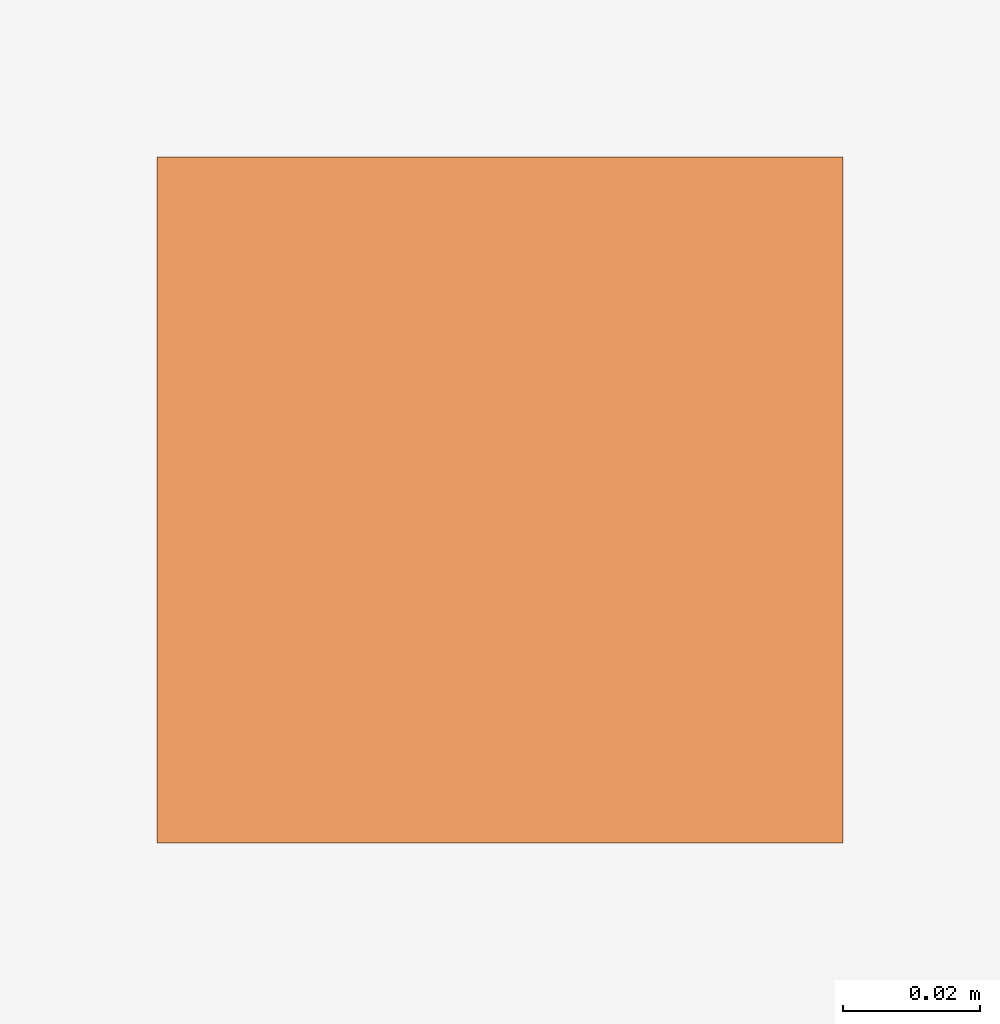
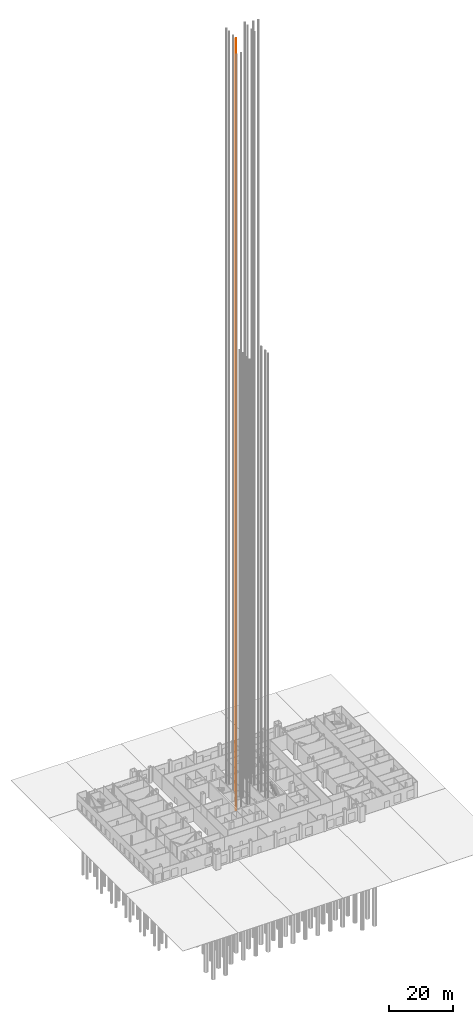
# One storey, part 26 of 36: 1 proxy.
"""IFC4 building model written with IfcOpenShell, lengths in metres."""

from ifc_helpers import new_model, si_unit, direction, frame, origin, origin_2d, place, context, subcontext, project, spatial, rectangle, extrude, material, type_object, element, save


model = new_model("IFC4")

# Units and contexts
model_context = context("Model", 3, precision=1e-05, world=origin(), true_north=direction((0.0, 1.0)))
body_context = subcontext(model_context, "Body", "Model", "MODEL_VIEW")
ifc_project = project(units=[si_unit("LENGTHUNIT", "METRE"), si_unit("AREAUNIT", "SQUARE_METRE"), si_unit("VOLUMEUNIT", "CUBIC_METRE"), si_unit("PLANEANGLEUNIT", "RADIAN"), si_unit("MASSUNIT", "GRAM", prefix="KILO")], contexts=[model_context])

# Site, building, storey
site_placement = place(None, origin())
site = spatial("IfcSite", under=ifc_project, at=site_placement, CompositionType="ELEMENT")
building_placement = place(site_placement, origin())
building = spatial("IfcBuilding", under=site, at=building_placement, Name="Malebo Sky Hospital", CompositionType="ELEMENT")
storey_placement = place(building_placement, origin())
storey = spatial("IfcBuildingStorey", under=building, at=storey_placement, Name="L00", CompositionType="ELEMENT", Elevation=0.0)

# Proxy
ifc_material = material(Name="Steel S355", Category="steel")
building_element_proxy_type = type_object("IfcBuildingElementProxyType", Name="LIFT GUIDE RAIL 100", PredefinedType="USERDEFINED", material=ifc_material)
proxy_placement = place(storey_placement, frame((56.64990234375, 63.22509765625, 0.0)))
element("IfcBuildingElementProxy", 1, at=proxy_placement, inside=storey, type_object=building_element_proxy_type, Name="Lift W3 guide rail 1", ObjectType="LIFT GUIDE RAIL", PredefinedType="USERDEFINED", context=body_context, shape_type="SweptSolid", body=[
    extrude(rectangle(XDim=0.10009765625, YDim=0.10009765625, at=origin_2d()), frame((0.0, 0.0, -2.25)), (0.0, 0.0, 1.0), 295.75),
])

save(model, "model.ifc")
